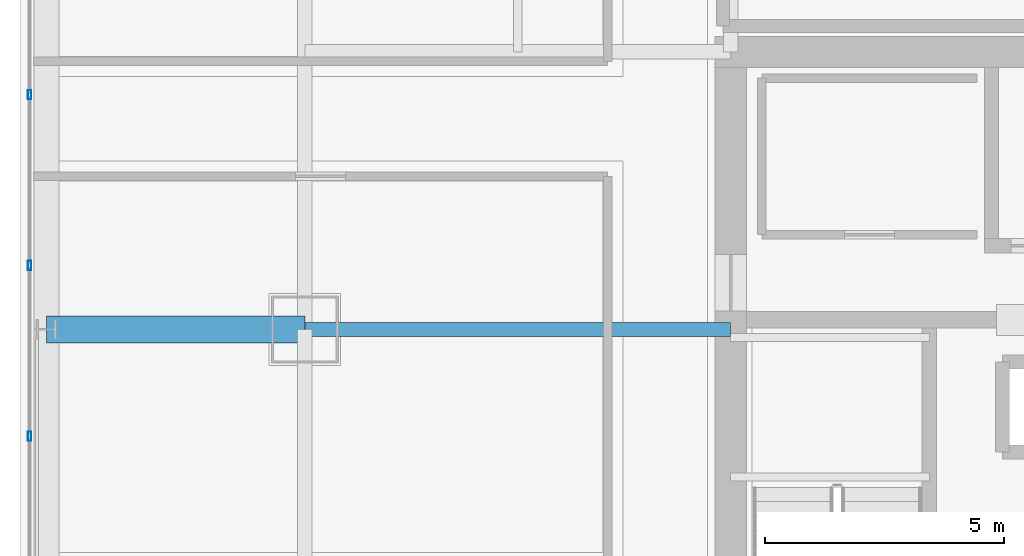
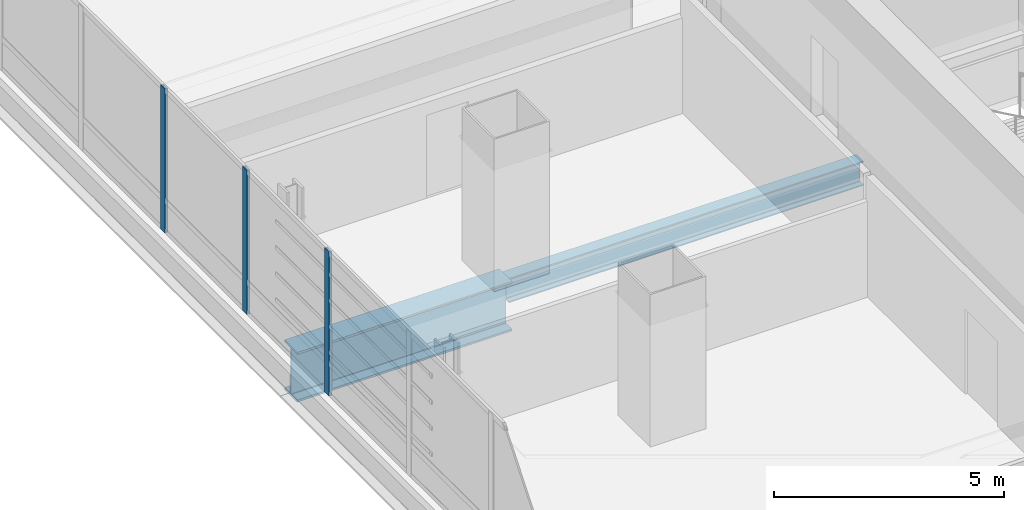
# One storey, part 11 of 36: 3 members, 2 beams, 1 element without a shape of its own.
"""IFC4 building model written with IfcOpenShell, lengths in metres."""

from ifc_helpers import new_model, si_unit, direction, frame, origin, origin_2d, place, context, subcontext, project, spatial, hollow_rectangle, i_section, extrude, material, material_profile, profile_set, type_object, element, aggregate, save


model = new_model("IFC4")

# Units and contexts
model_context = context("Model", 3, precision=1e-05, world=origin(), true_north=direction((0.0, 1.0)))
body_context = subcontext(model_context, "Body", "Model", "MODEL_VIEW")
ifc_project = project(units=[si_unit("LENGTHUNIT", "METRE"), si_unit("AREAUNIT", "SQUARE_METRE"), si_unit("VOLUMEUNIT", "CUBIC_METRE"), si_unit("PLANEANGLEUNIT", "RADIAN"), si_unit("MASSUNIT", "GRAM", prefix="KILO")], contexts=[model_context])

# Site, building, storey
site_placement = place(None, origin())
site = spatial("IfcSite", under=ifc_project, at=site_placement, CompositionType="ELEMENT")
building_placement = place(site_placement, origin())
building = spatial("IfcBuilding", under=site, at=building_placement, Name="Punatoya Terracotta Tower", CompositionType="ELEMENT")
storey_placement = place(building_placement, frame((0.0, 0.0, 180.300048828125)))
storey = spatial("IfcBuildingStorey", under=building, at=storey_placement, Name="L42", CompositionType="ELEMENT", Elevation=180.300048828125)

# Beams
ifc_material_1 = material(Name="Steel S355", Category="steel")
ifc_material_profile_1 = material_profile(ifc_material_1, i_section(OverallWidth=0.300048828125, OverallDepth=0.64990234375, WebThickness=0.01611328125, FlangeThickness=0.031005859375, FilletRadius=0.01806640625, at=origin_2d()))
ifc_profile_set_1 = profile_set([ifc_material_profile_1], Name="Steel S355")
beam_type_1 = type_object("IfcBeamType", Name="BM-PRI-650", PredefinedType="BEAM", material=ifc_profile_set_1)
beam_1_placement = place(storey_placement, frame((-19.10009765625, 3.39990234375, -0.545166015625), z_axis=(1.0, 0.0, 0.0), x_axis=(0.0, 1.0, 0.0)))
element("IfcBeam", 1, at=beam_1_placement, inside=storey, type_object=beam_type_1, Name="BM-L42-PR-WE", PredefinedType="BEAM", context=body_context, shape_type="SweptSolid", body=[
    extrude(i_section(OverallWidth=0.300048828125, OverallDepth=0.64990234375, WebThickness=0.01611328125, FlangeThickness=0.031005859375, FilletRadius=0.01806640625, at=origin_2d()), origin(), (0.0, 0.0, 1.0), 8.900146484375),
])
ifc_material_2 = material(Name="Steel S460", Category="steel")
ifc_material_profile_2 = material_profile(ifc_material_2, i_section(OverallWidth=0.56005859375, OverallDepth=1.320068359375, WebThickness=0.035888671875, FlangeThickness=0.054931640625, FilletRadius=0.01806640625, at=origin_2d()))
ifc_profile_set_2 = profile_set([ifc_material_profile_2], Name="Steel S460")
beam_type_2 = type_object("IfcBeamType", Name="BM-TG-BLK", PredefinedType="BEAM", material=ifc_profile_set_2)
beam_2_placement = place(storey_placement, frame((-24.5, 3.39990234375, -0.880126953125), z_axis=(1.0, 0.0, 0.0), x_axis=(0.0, 1.0, 0.0)))
element("IfcBeam", 2, at=beam_2_placement, inside=storey, type_object=beam_type_2, Name="BM-L42-CANT-W3", PredefinedType="BEAM", context=body_context, shape_type="SweptSolid", body=[
    extrude(i_section(OverallWidth=0.56005859375, OverallDepth=1.320068359375, WebThickness=0.035888671875, FlangeThickness=0.054931640625, FilletRadius=0.01806640625, at=origin_2d()), origin(), (0.0, 0.0, 1.0), 5.39990234375),
])

# Curtain wall, members
ifc_material_3 = material(Name="Aluminium 6063-T6 + Double Low-E Glass", Category="aluminium")
curtain_wall_type = type_object("IfcCurtainWallType", Name="CW-M2", PredefinedType="NOTDEFINED", material=ifc_material_3)
curtain_wall_placement = place(storey_placement, origin())
curtain_wall = element("IfcCurtainWall", 3, at=curtain_wall_placement, inside=storey, type_object=curtain_wall_type, Name="L42 Curtain Wall CW-L42-W13-1", PredefinedType="NOTDEFINED")
ifc_material_4 = material(Name="Aluminium 6063-T6", Category="aluminium")
ifc_material_profile_3 = material_profile(ifc_material_4, hollow_rectangle(XDim=0.072021484375, YDim=0.195068359375, WallThickness=0.00439453125, at=origin_2d()))
ifc_profile_set_3 = profile_set([ifc_material_profile_3], Name="Aluminium 6063-T6")
member_type = type_object("IfcMemberType", Name="CW-MUL-M2", PredefinedType="MULLION", material=ifc_profile_set_3)
member_1_placement = place(storey_placement, frame((-24.85009765625, 8.302001953125, 0.0), z_axis=(0.0, 0.0, 1.0), x_axis=(1.0, 0.0, 0.0)))
member_1 = element("IfcMember", 4, at=member_1_placement, type_object=member_type, Name="CW-L42-W13-1 Mullion 02", PredefinedType="MULLION", context=body_context, shape_type="SweptSolid", body=[
    extrude(hollow_rectangle(XDim=0.072021484375, YDim=0.195068359375, WallThickness=0.00439453125, at=origin_2d()), origin(), (0.0, 0.0, 1.0), 3.829833984375),
])
member_2_placement = place(storey_placement, frame((-24.85009765625, 4.73486328125, 0.0), z_axis=(0.0, 0.0, 1.0), x_axis=(1.0, 0.0, 0.0)))
member_2 = element("IfcMember", 5, at=member_2_placement, type_object=member_type, Name="CW-L42-W13-1 Mullion 03", PredefinedType="MULLION", context=body_context, shape_type="SweptSolid", body=[
    extrude(hollow_rectangle(XDim=0.072021484375, YDim=0.195068359375, WallThickness=0.00439453125, at=origin_2d()), origin(), (0.0, 0.0, 1.0), 3.829833984375),
])
member_3_placement = place(storey_placement, frame((-24.85009765625, 1.16748046875, 0.0), z_axis=(0.0, 0.0, 1.0), x_axis=(1.0, 0.0, 0.0)))
member_3 = element("IfcMember", 6, at=member_3_placement, type_object=member_type, Name="CW-L42-W13-1 Mullion 04", PredefinedType="MULLION", context=body_context, shape_type="SweptSolid", body=[
    extrude(hollow_rectangle(XDim=0.072021484375, YDim=0.195068359375, WallThickness=0.00439453125, at=origin_2d()), origin(), (0.0, 0.0, 1.0), 3.829833984375),
])
aggregate(curtain_wall, [member_1, member_2, member_3])

save(model, "model.ifc")
